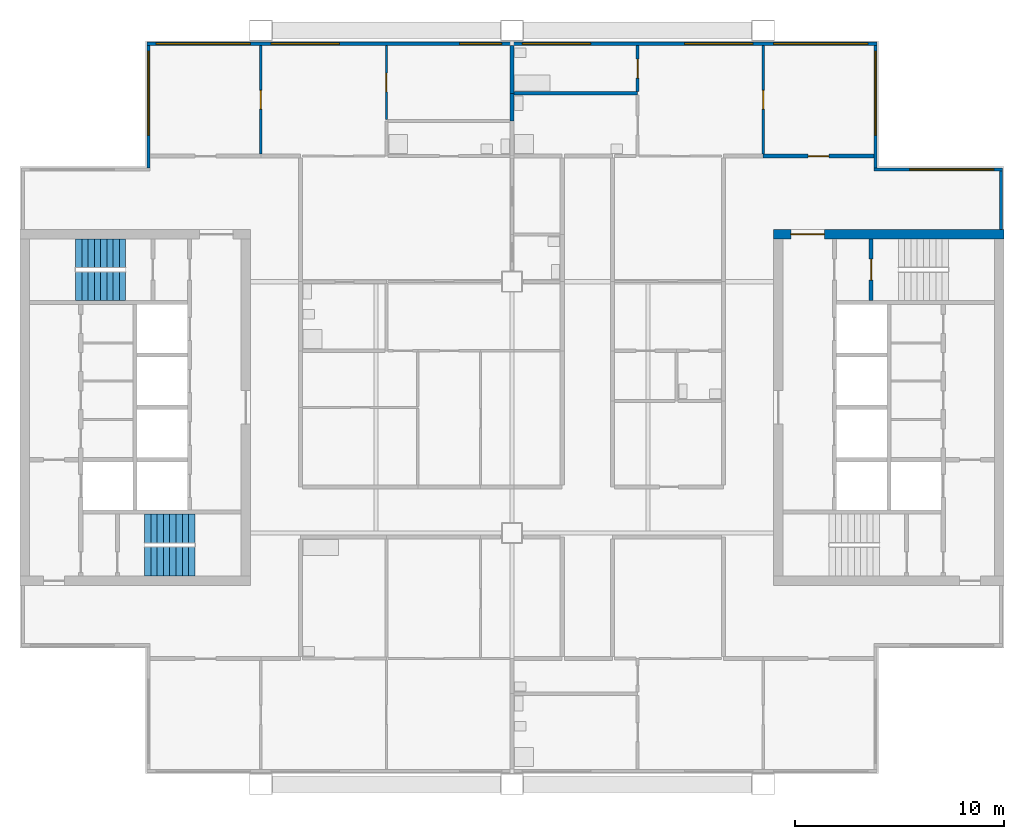
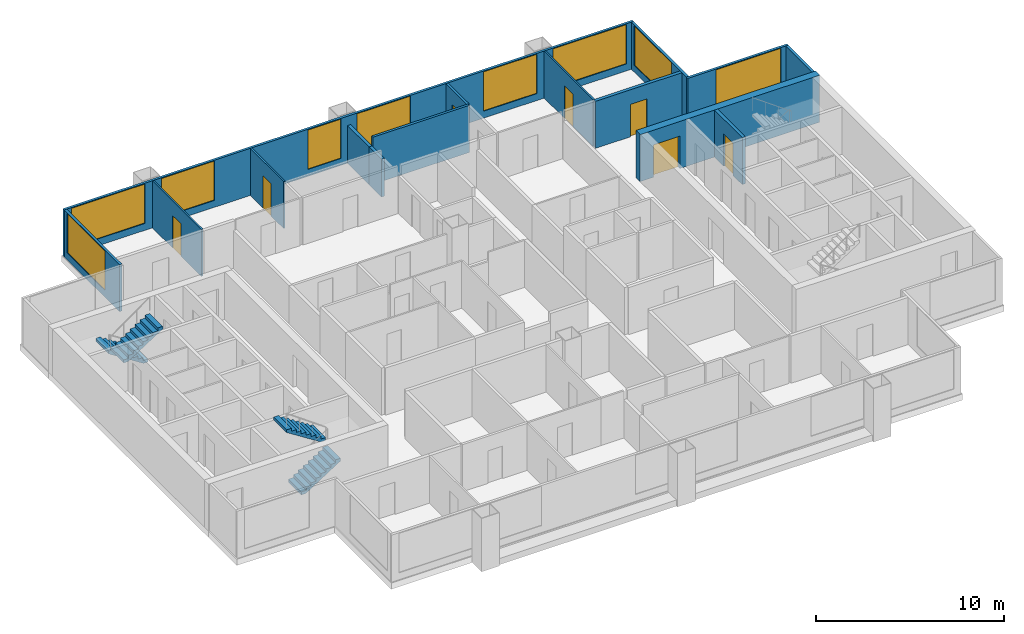
# One storey, part 6 of 9: 15 walls, 9 windows, 7 doors, 4 stair flights, 16 openings, 2 elements without a shape of their own.
"""IFC4 building model written with IfcOpenShell, lengths in metres."""

import ifcopenshell
import ifcopenshell.guid

model = None  # the IFC model being written
_history = None  # IfcOwnerHistory: only IFC2X3 demands one
_inside = {}  # id of a spatial element -> (the spatial element, [elements in it])
_under = {}  # id of a project, library or spatial element -> (it, [spatial elements below it])
_declared = {}  # id of a project -> (the project, [libraries it declares])
_typed = {}  # id of a type object -> (the type object, [elements of that type])
_made_of = {}  # id of a material, layer set ... -> (it, [elements and type objects made of it])


def new_model(schema):
    """Start an empty IFC model of exactly this schema.

    Asked for "IFC4X3", IfcOpenShell would pick the latest addendum, in which some entities
    have other attributes; the version numbers below select the first issue.
    IFC2X3 requires an IfcOwnerHistory on every rooted entity: one is made here for all.
    """
    global model, _history
    if schema == "IFC4X3":
        model = ifcopenshell.file(schema_version=(4, 3, 0, 0))
    else:
        model = ifcopenshell.file(schema=schema)
    _inside.clear()
    _under.clear()
    _declared.clear()
    _typed.clear()
    _made_of.clear()
    _history = None
    if model.schema == "IFC2X3":
        org = make("IfcOrganization", Name="unknown")
        user = make(
            "IfcPersonAndOrganization",
            ThePerson=make("IfcPerson", FamilyName="unknown"),
            TheOrganization=org,
        )
        app = make(
            "IfcApplication",
            ApplicationDeveloper=org,
            Version="unknown",
            ApplicationFullName="unknown",
            ApplicationIdentifier="unknown",
        )
        _history = make(
            "IfcOwnerHistory",
            OwningUser=user,
            OwningApplication=app,
            ChangeAction="ADDED",
            CreationDate=0,
        )
    return model


def make(cls, **values):
    """One entity of the class cls with the attributes given. An attribute that is None is left unset."""
    return model.create_entity(
        cls, **{name: value for name, value in values.items() if value is not None}
    )


def rooted(cls, **values):
    """An entity with a GlobalId (a new one), such as an element, a storey or a relation."""
    return make(cls, GlobalId=ifcopenshell.guid.new(), OwnerHistory=_history, **values)


def si_unit(unit_type, name, prefix=None):
    """IfcSIUnit, for example si_unit("LENGTHUNIT", "METRE", prefix="MILLI")."""
    return make("IfcSIUnit", UnitType=unit_type, Prefix=prefix, Name=name)


def assignment(units):
    """IfcUnitAssignment: the units of a project."""
    return None if units is None else make("IfcUnitAssignment", Units=units)


def point(xyz):
    """IfcCartesianPoint."""
    return None if xyz is None else make("IfcCartesianPoint", Coordinates=xyz)


def direction(xyz):
    """IfcDirection."""
    return None if xyz is None else make("IfcDirection", DirectionRatios=xyz)


def frame(location, z_axis=None, x_axis=None):
    """IfcAxis2Placement3D, a coordinate frame: its origin and axes. An axis left out is left unset."""
    return make(
        "IfcAxis2Placement3D",
        Location=point(location),
        Axis=direction(z_axis),
        RefDirection=direction(x_axis),
    )


def frame_2d(location, x_axis=None):
    """IfcAxis2Placement2D, a coordinate frame in the plane: its origin and x axis."""
    return make(
        "IfcAxis2Placement2D", Location=point(location), RefDirection=direction(x_axis)
    )


def origin():
    """The frame at (0, 0, 0) with its axes left unset."""
    return frame((0.0, 0.0, 0.0))


def place(relative_to, where):
    """IfcLocalPlacement: puts the frame where relative to a parent placement (None: the world)."""
    return make(
        "IfcLocalPlacement", PlacementRelTo=relative_to, RelativePlacement=where
    )


def context(
    kind, dimensions, precision=None, world=None, true_north=None, identifier=None
):
    """IfcGeometricRepresentationContext, for example the 3D "Model" context."""
    return make(
        "IfcGeometricRepresentationContext",
        ContextIdentifier=identifier,
        ContextType=kind,
        CoordinateSpaceDimension=dimensions,
        Precision=precision,
        WorldCoordinateSystem=world,
        TrueNorth=true_north,
    )


def subcontext(parent, identifier, kind, view, scale=None):
    """IfcGeometricRepresentationSubContext, for example "Body" below "Model"."""
    return make(
        "IfcGeometricRepresentationSubContext",
        ContextIdentifier=identifier,
        ContextType=kind,
        ParentContext=parent,
        TargetScale=scale,
        TargetView=view,
    )


def project(units=None, contexts=None):
    """IfcProject with its units and contexts."""
    return rooted(
        "IfcProject",
        Name="project",
        RepresentationContexts=contexts,
        UnitsInContext=assignment(units),
    )


def spatial(cls, under=None, at=None, **own):
    """A site, building, storey or space (cls), placed at a placement, below another one or the project."""
    s = rooted(cls, ObjectPlacement=at, **own)
    if under is not None:
        _under.setdefault(under.id(), (under, []))[1].append(s)
    return s


def polyline(points):
    """IfcPolyline through the points."""
    return make("IfcPolyline", Points=[point(p) for p in points])


def profile(cls, at=None, kind="AREA", **sizes):
    """A parametric profile (cls). Its sizes go by their IFC names, for example OverallWidth=200.0."""
    return make(cls, ProfileType=kind, Position=at, **sizes)


def rectangle(**sizes):
    """IfcRectangleProfileDef."""
    return profile("IfcRectangleProfileDef", **sizes)


def outline(outer, holes=None, kind="AREA"):
    """IfcArbitraryClosedProfileDef: a profile drawn as a closed curve; with holes, ...WithVoids."""
    if holes is None:
        return make("IfcArbitraryClosedProfileDef", ProfileType=kind, OuterCurve=outer)
    return make(
        "IfcArbitraryProfileDefWithVoids",
        ProfileType=kind,
        OuterCurve=outer,
        InnerCurves=holes,
    )


def extrude(swept, where, along, depth):
    """IfcExtrudedAreaSolid: the profile swept, set in the frame where, extruded along a direction by depth."""
    return make(
        "IfcExtrudedAreaSolid",
        SweptArea=swept,
        Position=where,
        ExtrudedDirection=direction(along),
        Depth=depth,
    )


def shape(context_of_items, identifier, shape_type, items):
    """IfcShapeRepresentation: the items that make up one representation, for example the "Body"."""
    return make(
        "IfcShapeRepresentation",
        ContextOfItems=context_of_items,
        RepresentationIdentifier=identifier,
        RepresentationType=shape_type,
        Items=items,
    )


def material(Name=None, Category=None):
    """IfcMaterial."""
    return make("IfcMaterial", Name=Name, Category=Category)


def layer(
    of_material, thickness, ventilated=None, Name=None, Category=None, Priority=None
):
    """IfcMaterialLayer: one layer of a wall or slab, of a material (None: an air gap)."""
    return make(
        "IfcMaterialLayer",
        Material=of_material,
        LayerThickness=thickness,
        IsVentilated=ventilated,
        Name=Name,
        Category=Category,
        Priority=Priority,
    )


def layer_set(layers, Name=None):
    """IfcMaterialLayerSet."""
    return make("IfcMaterialLayerSet", MaterialLayers=layers, LayerSetName=Name)


def made_of(thing, what):
    """Note that an element or type object is made of a material, layer set ...; save() writes the relation."""
    if what is not None:
        _made_of.setdefault(what.id(), (what, []))[1].append(thing)
    return thing


def type_object(cls, material=None, **own):
    """A type object (cls), such as IfcWallType, which elements share."""
    return made_of(rooted(cls, **own), material)


def element(
    cls,
    number,
    at=None,
    inside=None,
    cuts=None,
    type_object=None,
    material=None,
    context=None,
    identifier="Body",
    shape_type=None,
    held_by="IfcProductDefinitionShape",
    body=None,
    shapes=None,
    **own,
):
    """One element of the class cls, such as IfcWall. Its Tag is "e" and its number.

    at: its placement. inside: the storey or other place that contains it. cuts: it is an
    opening in that element (IfcRelVoidsElement). A single representation is given by context,
    identifier, shape_type and body (its items); several are given by shapes. held_by: the class
    of the entity that holds the representations. save() writes the other relations.
    """
    e = rooted(cls, Tag="e%d" % number, ObjectPlacement=at, **own)
    if body is not None:
        shapes = [shape(context, identifier, shape_type, body)]
    if shapes is not None:
        e.Representation = make(held_by, Representations=shapes)
    if inside is not None:
        _inside.setdefault(inside.id(), (inside, []))[1].append(e)
    if cuts is not None:
        rooted(
            "IfcRelVoidsElement", RelatingBuildingElement=cuts, RelatedOpeningElement=e
        )
    if type_object is not None:
        _typed.setdefault(type_object.id(), (type_object, []))[1].append(e)
    return made_of(e, material)


def fill(opening, filler):
    """IfcRelFillsElement: the door or window that sits in an opening."""
    return rooted(
        "IfcRelFillsElement",
        RelatingOpeningElement=opening,
        RelatedBuildingElement=filler,
    )


def aggregate(whole, parts):
    """IfcRelAggregates: a whole, such as a stair, and the parts it consists of."""
    return rooted("IfcRelAggregates", RelatingObject=whole, RelatedObjects=parts)


def save(model, path):
    """Write the relations noted so far, then the file.

    IfcRelAggregates (storeys below a building ...), IfcRelContainedInSpatialStructure (elements
    in a storey), IfcRelDefinesByType, IfcRelAssociatesMaterial and IfcRelDeclares: one each for
    every whole, place, type object, material and project.
    """
    for whole, parts in _under.values():
        aggregate(whole, parts)
    for where, things in _inside.values():
        rooted(
            "IfcRelContainedInSpatialStructure",
            RelatedElements=things,
            RelatingStructure=where,
        )
    for kind, things in _typed.values():
        rooted("IfcRelDefinesByType", RelatedObjects=things, RelatingType=kind)
    for what, things in _made_of.values():
        rooted("IfcRelAssociatesMaterial", RelatedObjects=things, RelatingMaterial=what)
    for by, libraries in _declared.values():
        rooted("IfcRelDeclares", RelatingContext=by, RelatedDefinitions=libraries)
    model.write(path)


model = new_model("IFC4")

# Units and contexts
model_context = context("Model", 3, precision=1e-05, world=origin(), true_north=direction((0.0, 1.0)))
body_context = subcontext(model_context, "Body", "Model", "MODEL_VIEW")
ifc_project = project(units=[si_unit("LENGTHUNIT", "METRE"), si_unit("AREAUNIT", "SQUARE_METRE"), si_unit("VOLUMEUNIT", "CUBIC_METRE"), si_unit("PLANEANGLEUNIT", "RADIAN"), si_unit("MASSUNIT", "GRAM", prefix="KILO")], contexts=[model_context])

# Site, building, storey
site_placement = place(None, origin())
site = spatial("IfcSite", under=ifc_project, at=site_placement, CompositionType="ELEMENT")
building_placement = place(site_placement, origin())
building = spatial("IfcBuilding", under=site, at=building_placement, Name="Kitamizu Gate Tower and Museum", CompositionType="ELEMENT")
storey_placement = place(building_placement, frame((0.0, 0.0, 224.85009765625)))
storey = spatial("IfcBuildingStorey", under=building, at=storey_placement, Name="L60", CompositionType="ELEMENT", Elevation=224.85009765625)

# Wall, opening, door
ifc_material_1 = material(Name="Concrete Fc42", Category="concrete")
ifc_layer_1 = layer(ifc_material_1, 0.449951171875)
ifc_layer_set_1 = layer_set([ifc_layer_1], Name="Concrete Fc42")
wall_type_1 = type_object("IfcWallType", Name="Core wall 450", PredefinedType="SHEAR", material=ifc_layer_set_1)
wall_1_placement = place(storey_placement, frame((59.5, 38.27490234375, 0.0), z_axis=(0.0, 0.0, 1.0), x_axis=(-1.0, 0.0, 0.0)))
wall_1 = element("IfcWall", 1, at=wall_1_placement, inside=storey, type_object=wall_type_1, Name="Core wall EN", PredefinedType="SHEAR", context=body_context, shape_type="SweptSolid", body=[
    extrude(rectangle(XDim=11.0, YDim=0.449951171875, at=frame_2d((5.5, 0.0))), origin(), (0.0, 0.0, 1.0), 3.0498046875),
])
opening_1_placement = place(wall_1_placement, frame((8.574951171875, 0.0, 0.0)))
opening_1 = element("IfcOpeningElement", 2, at=opening_1_placement, cuts=wall_1, Name="Opening L60-052", PredefinedType="OPENING", context=body_context, shape_type="SweptSolid", body=[
    extrude(rectangle(XDim=1.60009765625, YDim=2.10009765625, at=frame_2d((0.800048828125, 1.050048828125))), frame((0.0, 0.23486328125, 0.0), z_axis=(0.0, -1.0, 0.0), x_axis=(1.0, 0.0, 0.0)), (0.0, 0.0, 1.0), 0.469970703125),
])
ifc_material_2 = material(Name="Timber door set", Category="wood")
door_type_1 = type_object("IfcDoorType", Name="Entrance door 1600", OperationType="DOUBLE_DOOR_SINGLE_SWING", PredefinedType="DOOR", material=ifc_material_2)
door_1_placement = place(opening_1_placement, origin())
door_1 = element("IfcDoor", 3, at=door_1_placement, inside=storey, type_object=door_type_1, Name="Lobby door L60-052", OperationType="DOUBLE_DOOR_SINGLE_SWING", OverallHeight=2.10009765625, OverallWidth=1.60009765625, PredefinedType="DOOR", context=body_context, shape_type="SweptSolid", body=[
    extrude(rectangle(XDim=1.60009765625, YDim=2.10009765625, at=frame_2d((0.800048828125, 1.050048828125))), frame((0.0, 0.02490234375, 0.0), z_axis=(0.0, -1.0, 0.0), x_axis=(1.0, 0.0, 0.0)), (0.0, 0.0, 1.0), 0.050048828125),
])
fill(opening_1, door_1)

ifc_material_3 = material(Name="Gypsum board on galvanised stud")
ifc_layer_2 = layer(ifc_material_3, 0.10009765625)
ifc_layer_set_2 = layer_set([ifc_layer_2], Name="Gypsum board on galvanised stud")
wall_type_2 = type_object("IfcWallType", Name="Partition 100 NOT RATED", PredefinedType="PARTITIONING", material=ifc_layer_set_2)
wall_2_placement = place(storey_placement, frame((24.0, 42.10009765625, 0.0), z_axis=(0.0, 0.0, 1.0), x_axis=(0.0, 1.0, 0.0)))
wall_2 = element("IfcWall", 4, at=wall_2_placement, inside=storey, type_object=wall_type_2, Name="Partition L60-031", PredefinedType="PARTITIONING", context=body_context, shape_type="SweptSolid", body=[
    extrude(rectangle(XDim=5.179931640625, YDim=0.10009765625, at=frame_2d((2.58984375, 0.0))), origin(), (0.0, 0.0, 1.0), 3.0498046875),
])
opening_2_placement = place(wall_2_placement, frame((2.139892578125, 0.0, 0.0)))
opening_2 = element("IfcOpeningElement", 5, at=opening_2_placement, cuts=wall_2, Name="Opening L60-013", PredefinedType="OPENING", context=body_context, shape_type="SweptSolid", body=[
    extrude(rectangle(XDim=0.89990234375, YDim=2.10009765625, at=frame_2d((0.449951171875, 1.050048828125))), frame((0.0, 0.06005859375, 0.0), z_axis=(0.0, -1.0, 0.0), x_axis=(1.0, 0.0, 0.0)), (0.0, 0.0, 1.0), 0.1201171875),
])
ifc_material_4 = material(Name="Timber door set", Category="wood")
door_type_2 = type_object("IfcDoorType", Name="Room door 900", OperationType="NOTDEFINED", PredefinedType="DOOR", material=ifc_material_4)
door_2_placement = place(opening_2_placement, frame((0.89990234375, 0.0, 0.0), x_axis=(-1.0, 0.0, 0.0)))
door_2 = element("IfcDoor", 6, at=door_2_placement, inside=storey, type_object=door_type_2, Name="Door L60-013", OperationType="SINGLE_SWING_LEFT", OverallHeight=2.10009765625, OverallWidth=0.89990234375, PredefinedType="DOOR", context=body_context, shape_type="SweptSolid", body=[
    extrude(rectangle(XDim=0.89990234375, YDim=2.10009765625, at=frame_2d((0.449951171875, 1.050048828125))), frame((0.0, 0.02490234375, 0.0), z_axis=(0.0, -1.0, 0.0), x_axis=(1.0, 0.0, 0.0)), (0.0, 0.0, 1.0), 0.050048828125),
])
fill(opening_2, door_2)

wall_3_placement = place(storey_placement, frame((30.0, 43.7548828125, 0.0), z_axis=(0.0, 0.0, 1.0), x_axis=(0.0, 1.0, 0.0)))
wall_3 = element("IfcWall", 7, at=wall_3_placement, inside=storey, type_object=wall_type_2, Name="Partition L60-033", PredefinedType="PARTITIONING", context=body_context, shape_type="SweptSolid", body=[
    extrude(rectangle(XDim=3.525146484375, YDim=0.10009765625, at=frame_2d((1.7626953125, 0.0))), origin(), (0.0, 0.0, 1.0), 3.0498046875),
])
opening_3_placement = place(wall_3_placement, frame((1.3125, 0.0, 0.0)))
opening_3 = element("IfcOpeningElement", 8, at=opening_3_placement, cuts=wall_3, Name="Opening L60-017", PredefinedType="OPENING", context=body_context, shape_type="SweptSolid", body=[
    extrude(rectangle(XDim=0.89990234375, YDim=2.10009765625, at=frame_2d((0.449951171875, 1.050048828125))), frame((0.0, 0.06005859375, 0.0), z_axis=(0.0, -1.0, 0.0), x_axis=(1.0, 0.0, 0.0)), (0.0, 0.0, 1.0), 0.1201171875),
])
door_3_placement = place(opening_3_placement, frame((0.89990234375, 0.0, 0.0), x_axis=(-1.0, 0.0, 0.0)))
door_3 = element("IfcDoor", 9, at=door_3_placement, inside=storey, type_object=door_type_2, Name="Door L60-017", OperationType="SINGLE_SWING_LEFT", OverallHeight=2.10009765625, OverallWidth=0.89990234375, PredefinedType="DOOR", context=body_context, shape_type="SweptSolid", body=[
    extrude(rectangle(XDim=0.89990234375, YDim=2.10009765625, at=frame_2d((0.449951171875, 1.050048828125))), frame((0.0, 0.02490234375, 0.0), z_axis=(0.0, -1.0, 0.0), x_axis=(1.0, 0.0, 0.0)), (0.0, 0.0, 1.0), 0.050048828125),
])
fill(opening_3, door_3)

wall_4_placement = place(storey_placement, frame((48.0, 42.10009765625, 0.0), z_axis=(0.0, 0.0, 1.0), x_axis=(0.0, 1.0, 0.0)))
wall_4 = element("IfcWall", 10, at=wall_4_placement, inside=storey, type_object=wall_type_2, Name="Partition L60-076", PredefinedType="PARTITIONING", context=body_context, shape_type="SweptSolid", body=[
    extrude(rectangle(XDim=5.179931640625, YDim=0.10009765625, at=frame_2d((2.58984375, 0.0))), origin(), (0.0, 0.0, 1.0), 3.0498046875),
])
opening_4_placement = place(wall_4_placement, frame((2.139892578125, 0.0, 0.0)))
opening_4 = element("IfcOpeningElement", 11, at=opening_4_placement, cuts=wall_4, Name="Opening L60-026", PredefinedType="OPENING", context=body_context, shape_type="SweptSolid", body=[
    extrude(rectangle(XDim=0.89990234375, YDim=2.10009765625, at=frame_2d((0.449951171875, 1.050048828125))), frame((0.0, 0.06005859375, 0.0), z_axis=(0.0, -1.0, 0.0), x_axis=(1.0, 0.0, 0.0)), (0.0, 0.0, 1.0), 0.1201171875),
])
door_4_placement = place(opening_4_placement, origin())
door_4 = element("IfcDoor", 12, at=door_4_placement, inside=storey, type_object=door_type_2, Name="Door L60-026", OperationType="SINGLE_SWING_RIGHT", OverallHeight=2.10009765625, OverallWidth=0.89990234375, PredefinedType="DOOR", context=body_context, shape_type="SweptSolid", body=[
    extrude(rectangle(XDim=0.89990234375, YDim=2.10009765625, at=frame_2d((0.449951171875, 1.050048828125))), frame((0.0, 0.02490234375, 0.0), z_axis=(0.0, -1.0, 0.0), x_axis=(1.0, 0.0, 0.0)), (0.0, 0.0, 1.0), 0.050048828125),
])
fill(opening_4, door_4)

# Wall
ifc_material_5 = material(Name="Gypsum board on galvanised stud")
ifc_layer_3 = layer(ifc_material_5, 0.14990234375)
ifc_layer_set_3 = layer_set([ifc_layer_3], Name="Gypsum board on galvanised stud")
wall_type_3 = type_object("IfcWallType", Name="Partition 150", PredefinedType="PARTITIONING", material=ifc_layer_set_3)
wall_5_placement = place(storey_placement, frame((42.0, 45.0, 0.0), z_axis=(0.0, 0.0, 1.0), x_axis=(-1.0, 0.0, 0.0)))
element("IfcWall", 13, at=wall_5_placement, inside=storey, type_object=wall_type_3, Name="Partition L60-071", PredefinedType="PARTITIONING", context=body_context, shape_type="SweptSolid", body=[
    extrude(rectangle(XDim=5.89990234375, YDim=0.14990234375, at=frame_2d((2.949951171875, 0.0))), origin(), (0.0, 0.0, 1.0), 3.0498046875),
])

# Wall, opening, door
wall_6_placement = place(storey_placement, frame((42.0, 45.074951171875, 0.0), z_axis=(0.0, 0.0, 1.0), x_axis=(0.0, 1.0, 0.0)))
wall_6 = element("IfcWall", 14, at=wall_6_placement, inside=storey, type_object=wall_type_3, Name="Partition L60-075", PredefinedType="PARTITIONING", context=body_context, shape_type="SweptSolid", body=[
    extrude(rectangle(XDim=2.205078125, YDim=0.14990234375, at=frame_2d((1.1025390625, 0.0))), origin(), (0.0, 0.0, 1.0), 3.0498046875),
])
opening_5_placement = place(wall_6_placement, frame((0.652587890625, 0.0, 0.0)))
opening_5 = element("IfcOpeningElement", 15, at=opening_5_placement, cuts=wall_6, Name="Opening L60-029", PredefinedType="OPENING", context=body_context, shape_type="SweptSolid", body=[
    extrude(rectangle(XDim=0.89990234375, YDim=2.10009765625, at=frame_2d((0.449951171875, 1.050048828125))), frame((0.0, 0.0849609375, 0.0), z_axis=(0.0, -1.0, 0.0), x_axis=(1.0, 0.0, 0.0)), (0.0, 0.0, 1.0), 0.169921875),
])
ifc_material_6 = material(Name="Timber door set", Category="wood")
door_type_3 = type_object("IfcDoorType", Name="Bathroom door 900", OperationType="NOTDEFINED", PredefinedType="DOOR", material=ifc_material_6)
door_5_placement = place(opening_5_placement, origin())
door_5 = element("IfcDoor", 16, at=door_5_placement, inside=storey, type_object=door_type_3, Name="Bathroom door L60-029", OperationType="SINGLE_SWING_LEFT", OverallHeight=2.10009765625, OverallWidth=0.89990234375, PredefinedType="DOOR", context=body_context, shape_type="SweptSolid", body=[
    extrude(rectangle(XDim=0.89990234375, YDim=2.10009765625, at=frame_2d((0.449951171875, 1.050048828125))), frame((0.0, 0.02490234375, 0.0), z_axis=(0.0, -1.0, 0.0), x_axis=(1.0, 0.0, 0.0)), (0.0, 0.0, 1.0), 0.050048828125),
])
fill(opening_5, door_5)

# Walls
ifc_material_7 = material(Name="Gypsum board on galvanised stud")
ifc_layer_4 = layer(ifc_material_7, 0.199951171875)
ifc_layer_set_4 = layer_set([ifc_layer_4], Name="Gypsum board on galvanised stud")
wall_type_4 = type_object("IfcWallType", Name="Partition 200", PredefinedType="PARTITIONING", material=ifc_layer_set_4)
wall_7_placement = place(storey_placement, frame((36.0, 43.679931640625, 0.0), z_axis=(0.0, 0.0, 1.0), x_axis=(0.0, 1.0, 0.0)))
element("IfcWall", 17, at=wall_7_placement, inside=storey, type_object=wall_type_4, Name="Partition L60-038", PredefinedType="PARTITIONING", context=body_context, shape_type="SweptSolid", body=[
    extrude(rectangle(XDim=1.320068359375, YDim=0.199951171875, at=frame_2d((0.66015625, 0.0))), origin(), (0.0, 0.0, 1.0), 2.449951171875),
])
wall_8_placement = place(storey_placement, frame((36.0, 45.0, 0.0), z_axis=(0.0, 0.0, 1.0), x_axis=(0.0, 1.0, 0.0)))
element("IfcWall", 18, at=wall_8_placement, inside=storey, type_object=wall_type_4, Name="Partition L60-039", PredefinedType="PARTITIONING", context=body_context, shape_type="SweptSolid", body=[
    extrude(rectangle(XDim=2.280029296875, YDim=0.199951171875, at=frame_2d((1.14013671875, 0.0))), origin(), (0.0, 0.0, 1.0), 2.449951171875),
])

# Wall, opening, door
wall_9_placement = place(storey_placement, frame((48.0, 42.0, 0.0), z_axis=(0.0, 0.0, 1.0), x_axis=(1.0, 0.0, 0.0)))
wall_9 = element("IfcWall", 19, at=wall_9_placement, inside=storey, type_object=wall_type_4, Name="Partition L60-079", PredefinedType="PARTITIONING", context=body_context, shape_type="SweptSolid", body=[
    extrude(rectangle(XDim=5.280029296875, YDim=0.199951171875, at=frame_2d((2.64013671875, 0.0))), origin(), (0.0, 0.0, 1.0), 3.0498046875),
])
opening_6_placement = place(wall_9_placement, frame((2.139892578125, 0.0, 0.0)))
opening_6 = element("IfcOpeningElement", 20, at=opening_6_placement, cuts=wall_9, Name="Opening L60-025", PredefinedType="OPENING", context=body_context, shape_type="SweptSolid", body=[
    extrude(rectangle(XDim=1.0, YDim=2.10009765625, at=frame_2d((0.5, 1.050048828125))), frame((0.0, 0.10986328125, 0.0), z_axis=(0.0, -1.0, 0.0), x_axis=(1.0, 0.0, 0.0)), (0.0, 0.0, 1.0), 0.219970703125),
])
ifc_material_8 = material(Name="Timber door set", Category="wood")
door_type_4 = type_object("IfcDoorType", Name="Flat entrance door 1000", OperationType="NOTDEFINED", PredefinedType="DOOR", material=ifc_material_8)
door_6_placement = place(opening_6_placement, origin())
door_6 = element("IfcDoor", 21, at=door_6_placement, inside=storey, type_object=door_type_4, Name="Flat entrance door L60-025", OperationType="SINGLE_SWING_LEFT", OverallHeight=2.10009765625, OverallWidth=1.0, PredefinedType="DOOR", context=body_context, shape_type="SweptSolid", body=[
    extrude(rectangle(XDim=1.0, YDim=2.10009765625, at=frame_2d((0.5, 1.050048828125))), frame((0.0, 0.02490234375, 0.0), z_axis=(0.0, -1.0, 0.0), x_axis=(1.0, 0.0, 0.0)), (0.0, 0.0, 1.0), 0.050048828125),
])
fill(opening_6, door_6)

ifc_material_9 = material(Name="Concrete Fc42", Category="concrete")
ifc_layer_5 = layer(ifc_material_9, 0.199951171875)
ifc_layer_set_5 = layer_set([ifc_layer_5], Name="Concrete Fc42")
wall_type_5 = type_object("IfcWallType", Name="Shaft wall 200", PredefinedType="SOLIDWALL", material=ifc_layer_set_5)
wall_10_placement = place(storey_placement, frame((53.14990234375, 35.10009765625, 0.0), z_axis=(0.0, 0.0, 1.0), x_axis=(0.0, 1.0, 0.0)))
wall_10 = element("IfcWall", 22, at=wall_10_placement, inside=storey, type_object=wall_type_5, Name="Shaft wall ENZ", PredefinedType="SOLIDWALL", context=body_context, shape_type="SweptSolid", body=[
    extrude(rectangle(XDim=2.949951171875, YDim=0.199951171875, at=frame_2d((1.47509765625, 0.0))), origin(), (0.0, 0.0, 1.0), 3.0498046875),
])
opening_7_placement = place(wall_10_placement, frame((0.97509765625, 0.0, 0.0)))
opening_7 = element("IfcOpeningElement", 23, at=opening_7_placement, cuts=wall_10, Name="Opening L60-049", PredefinedType="OPENING", context=body_context, shape_type="SweptSolid", body=[
    extrude(rectangle(XDim=1.0, YDim=2.10009765625, at=frame_2d((0.5, 1.050048828125))), frame((0.0, 0.10986328125, 0.0), z_axis=(0.0, -1.0, 0.0), x_axis=(1.0, 0.0, 0.0)), (0.0, 0.0, 1.0), 0.219970703125),
])
ifc_material_10 = material(Name="Hollow metal door set")
door_type_5 = type_object("IfcDoorType", Name="Fire door 1000", OperationType="NOTDEFINED", PredefinedType="DOOR", material=ifc_material_10)
door_7_placement = place(opening_7_placement, frame((1.0, 0.0, 0.0), x_axis=(-1.0, 0.0, 0.0)))
door_7 = element("IfcDoor", 24, at=door_7_placement, inside=storey, type_object=door_type_5, Name="Stair door L60-049", OperationType="SINGLE_SWING_RIGHT", OverallHeight=2.10009765625, OverallWidth=1.0, PredefinedType="DOOR", context=body_context, shape_type="SweptSolid", body=[
    extrude(rectangle(XDim=1.0, YDim=2.10009765625, at=frame_2d((0.5, 1.050048828125))), frame((0.0, 0.02490234375, 0.0), z_axis=(0.0, -1.0, 0.0), x_axis=(1.0, 0.0, 0.0)), (0.0, 0.0, 1.0), 0.050048828125),
])
fill(opening_7, door_7)

# Wall
ifc_material_11 = material(Name="Bronze anodised aluminium frame with insulated spandrel and tinted glass", Category="aluminium")
ifc_layer_6 = layer(ifc_material_11, 0.14990234375)
ifc_layer_set_6 = layer_set([ifc_layer_6], Name="Bronze anodised aluminium frame with insulated spandrel and tinted glass")
wall_type_6 = type_object("IfcWallType", Name="WINDOW WALL 150 BRONZE FRAME EI 30", PredefinedType="ELEMENTEDWALL", material=ifc_layer_set_6)
wall_11_placement = place(storey_placement, frame((59.364990234375, 38.5, 0.0), z_axis=(0.0, 0.0, 1.0), x_axis=(0.0, 1.0, 0.0)))
element("IfcWall", 25, at=wall_11_placement, inside=storey, type_object=wall_type_6, Name="Window wall east L60", PredefinedType="ELEMENTEDWALL", context=body_context, shape_type="SweptSolid", body=[
    extrude(rectangle(XDim=2.7900390625, YDim=0.14990234375, at=frame_2d((1.39501953125, 0.0))), origin(), (0.0, 0.0, 1.0), 3.0498046875),
])

# Wall, opening, window
wall_12_placement = place(storey_placement, frame((53.2900390625, 41.364990234375, 0.0), z_axis=(0.0, 0.0, 1.0), x_axis=(1.0, 0.0, 0.0)))
wall_12 = element("IfcWall", 26, at=wall_12_placement, inside=storey, type_object=wall_type_6, Name="Window wall north L60", PredefinedType="ELEMENTEDWALL", context=body_context, shape_type="SweptSolid", body=[
    extrude(rectangle(XDim=6.14990234375, YDim=0.14990234375, at=frame_2d((3.074951171875, 0.0))), origin(), (0.0, 0.0, 1.0), 3.0498046875),
])
opening_8_placement = place(wall_12_placement, frame((1.7099609375, 0.0, 0.449951171875)))
opening_8 = element("IfcOpeningElement", 27, at=opening_8_placement, cuts=wall_12, Name="Opening W16", PredefinedType="OPENING", context=body_context, shape_type="SweptSolid", body=[
    extrude(rectangle(XDim=4.0, YDim=2.550048828125, at=frame_2d((2.0, 1.27490234375))), frame((0.0, 0.0849609375, 0.0), z_axis=(0.0, -1.0, 0.0), x_axis=(1.0, 0.0, 0.0)), (0.0, 0.0, 1.0), 0.169921875),
])
ifc_material_12 = material(Name="Bronze anodised aluminium frame, tinted triple glazing", Category="aluminium")
window_type_1 = type_object("IfcWindowType", Name="WINDOW 4000 x 2550 SILL 450", PartitioningType="SINGLE_PANEL", PredefinedType="WINDOW", material=ifc_material_12)
window_1_placement = place(opening_8_placement, origin())
window_1 = element("IfcWindow", 28, at=window_1_placement, inside=storey, type_object=window_type_1, Name="Window W16 L60", OverallHeight=2.550048828125, OverallWidth=4.0, PartitioningType="SINGLE_PANEL", PredefinedType="WINDOW", context=body_context, shape_type="SweptSolid", body=[
    extrude(rectangle(XDim=4.0, YDim=2.550048828125, at=frame_2d((2.0, 1.27490234375))), frame((0.0, 0.030029296875, 0.0), z_axis=(0.0, -1.0, 0.0), x_axis=(1.0, 0.0, 0.0)), (0.0, 0.0, 1.0), 0.06005859375),
])
fill(opening_8, window_1)

wall_13_placement = place(storey_placement, frame((53.364990234375, 41.43994140625, 0.0), z_axis=(0.0, 0.0, 1.0), x_axis=(0.0, 1.0, 0.0)))
wall_13 = element("IfcWall", 29, at=wall_13_placement, inside=storey, type_object=wall_type_6, Name="Window wall east L60", PredefinedType="ELEMENTEDWALL", context=body_context, shape_type="SweptSolid", body=[
    extrude(rectangle(XDim=5.85009765625, YDim=0.14990234375, at=frame_2d((2.925048828125, 0.0))), origin(), (0.0, 0.0, 1.0), 3.0498046875),
])
opening_9_placement = place(wall_13_placement, frame((1.56005859375, 0.0, 0.449951171875)))
opening_9 = element("IfcOpeningElement", 30, at=opening_9_placement, cuts=wall_13, Name="Opening W16", PredefinedType="OPENING", context=body_context, shape_type="SweptSolid", body=[
    extrude(rectangle(XDim=4.0, YDim=2.550048828125, at=frame_2d((2.0, 1.27490234375))), frame((0.0, 0.0849609375, 0.0), z_axis=(0.0, -1.0, 0.0), x_axis=(1.0, 0.0, 0.0)), (0.0, 0.0, 1.0), 0.169921875),
])
window_2_placement = place(opening_9_placement, origin())
window_2 = element("IfcWindow", 31, at=window_2_placement, inside=storey, type_object=window_type_1, Name="Window W16 L60", OverallHeight=2.550048828125, OverallWidth=4.0, PartitioningType="SINGLE_PANEL", PredefinedType="WINDOW", context=body_context, shape_type="SweptSolid", body=[
    extrude(rectangle(XDim=4.0, YDim=2.550048828125, at=frame_2d((2.0, 1.27490234375))), frame((0.0, 0.030029296875, 0.0), z_axis=(0.0, -1.0, 0.0), x_axis=(1.0, 0.0, 0.0)), (0.0, 0.0, 1.0), 0.06005859375),
])
fill(opening_9, window_2)

# Wall, openings, windows
wall_14_placement = place(storey_placement, frame((18.56005859375, 47.364990234375, 0.0), z_axis=(0.0, 0.0, 1.0), x_axis=(1.0, 0.0, 0.0)))
wall_14 = element("IfcWall", 32, at=wall_14_placement, inside=storey, type_object=wall_type_6, Name="Window wall north L60", PredefinedType="ELEMENTEDWALL", context=body_context, shape_type="SweptSolid", body=[
    extrude(rectangle(XDim=34.8798828125, YDim=0.14990234375, at=frame_2d((17.43994140625, 0.0))), origin(), (0.0, 0.0, 1.0), 3.0498046875),
])
opening_10_placement = place(wall_14_placement, frame((0.43994140625, 0.0, 0.449951171875)))
opening_10 = element("IfcOpeningElement", 33, at=opening_10_placement, cuts=wall_14, Name="Opening W15", PredefinedType="OPENING", context=body_context, shape_type="SweptSolid", body=[
    extrude(rectangle(XDim=4.5, YDim=2.550048828125, at=frame_2d((2.25, 1.27490234375))), frame((0.0, 0.0849609375, 0.0), z_axis=(0.0, -1.0, 0.0), x_axis=(1.0, 0.0, 0.0)), (0.0, 0.0, 1.0), 0.169921875),
])
opening_11_placement = place(wall_14_placement, frame((5.93994140625, 0.0, 0.449951171875)))
opening_11 = element("IfcOpeningElement", 34, at=opening_11_placement, cuts=wall_14, Name="Opening W34", PredefinedType="OPENING", context=body_context, shape_type="SweptSolid", body=[
    extrude(rectangle(XDim=3.25, YDim=2.550048828125, at=frame_2d((1.625, 1.27490234375))), frame((0.0, 0.0849609375, 0.0), z_axis=(0.0, -1.0, 0.0), x_axis=(1.0, 0.0, 0.0)), (0.0, 0.0, 1.0), 0.169921875),
])
opening_12_placement = place(wall_14_placement, frame((14.93994140625, 0.0, 0.449951171875)))
opening_12 = element("IfcOpeningElement", 35, at=opening_12_placement, cuts=wall_14, Name="Opening W2", PredefinedType="OPENING", context=body_context, shape_type="SweptSolid", body=[
    extrude(rectangle(XDim=2.0, YDim=2.550048828125, at=frame_2d((1.0, 1.27490234375))), frame((0.0, 0.0849609375, 0.0), z_axis=(0.0, -1.0, 0.0), x_axis=(1.0, 0.0, 0.0)), (0.0, 0.0, 1.0), 0.169921875),
])
opening_13_placement = place(wall_14_placement, frame((17.93994140625, 0.0, 0.449951171875)))
opening_13 = element("IfcOpeningElement", 36, at=opening_13_placement, cuts=wall_14, Name="Opening W34", PredefinedType="OPENING", context=body_context, shape_type="SweptSolid", body=[
    extrude(rectangle(XDim=3.25, YDim=2.550048828125, at=frame_2d((1.625, 1.27490234375))), frame((0.0, 0.0849609375, 0.0), z_axis=(0.0, -1.0, 0.0), x_axis=(1.0, 0.0, 0.0)), (0.0, 0.0, 1.0), 0.169921875),
])
opening_14_placement = place(wall_14_placement, frame((25.68994140625, 0.0, 0.449951171875)))
opening_14 = element("IfcOpeningElement", 37, at=opening_14_placement, cuts=wall_14, Name="Opening W34", PredefinedType="OPENING", context=body_context, shape_type="SweptSolid", body=[
    extrude(rectangle(XDim=3.25, YDim=2.550048828125, at=frame_2d((1.625, 1.27490234375))), frame((0.0, 0.0849609375, 0.0), z_axis=(0.0, -1.0, 0.0), x_axis=(1.0, 0.0, 0.0)), (0.0, 0.0, 1.0), 0.169921875),
])
opening_15_placement = place(wall_14_placement, frame((29.93994140625, 0.0, 0.449951171875)))
opening_15 = element("IfcOpeningElement", 38, at=opening_15_placement, cuts=wall_14, Name="Opening W15", PredefinedType="OPENING", context=body_context, shape_type="SweptSolid", body=[
    extrude(rectangle(XDim=4.5, YDim=2.550048828125, at=frame_2d((2.25, 1.27490234375))), frame((0.0, 0.0849609375, 0.0), z_axis=(0.0, -1.0, 0.0), x_axis=(1.0, 0.0, 0.0)), (0.0, 0.0, 1.0), 0.169921875),
])
ifc_material_13 = material(Name="Bronze anodised aluminium frame, tinted triple glazing", Category="aluminium")
window_type_2 = type_object("IfcWindowType", Name="WINDOW 2000 x 2550 SILL 450", PartitioningType="SINGLE_PANEL", PredefinedType="WINDOW", material=ifc_material_13)
window_3_placement = place(opening_12_placement, origin())
window_3 = element("IfcWindow", 39, at=window_3_placement, inside=storey, type_object=window_type_2, Name="Window W2 L60", OverallHeight=2.550048828125, OverallWidth=2.0, PartitioningType="SINGLE_PANEL", PredefinedType="WINDOW", context=body_context, shape_type="SweptSolid", body=[
    extrude(rectangle(XDim=2.0, YDim=2.550048828125, at=frame_2d((1.0, 1.27490234375))), frame((0.0, 0.030029296875, 0.0), z_axis=(0.0, -1.0, 0.0), x_axis=(1.0, 0.0, 0.0)), (0.0, 0.0, 1.0), 0.06005859375),
])
fill(opening_12, window_3)
ifc_material_14 = material(Name="Bronze anodised aluminium frame, tinted triple glazing", Category="aluminium")
window_type_3 = type_object("IfcWindowType", Name="WINDOW 3250 x 2550 SILL 450", PartitioningType="SINGLE_PANEL", PredefinedType="WINDOW", material=ifc_material_14)
window_4_placement = place(opening_11_placement, origin())
window_4 = element("IfcWindow", 40, at=window_4_placement, inside=storey, type_object=window_type_3, Name="Window W34 L60", OverallHeight=2.550048828125, OverallWidth=3.25, PartitioningType="SINGLE_PANEL", PredefinedType="WINDOW", context=body_context, shape_type="SweptSolid", body=[
    extrude(rectangle(XDim=3.25, YDim=2.550048828125, at=frame_2d((1.625, 1.27490234375))), frame((0.0, 0.030029296875, 0.0), z_axis=(0.0, -1.0, 0.0), x_axis=(1.0, 0.0, 0.0)), (0.0, 0.0, 1.0), 0.06005859375),
])
fill(opening_11, window_4)
window_5_placement = place(opening_13_placement, origin())
window_5 = element("IfcWindow", 41, at=window_5_placement, inside=storey, type_object=window_type_3, Name="Window W34 L60", OverallHeight=2.550048828125, OverallWidth=3.25, PartitioningType="SINGLE_PANEL", PredefinedType="WINDOW", context=body_context, shape_type="SweptSolid", body=[
    extrude(rectangle(XDim=3.25, YDim=2.550048828125, at=frame_2d((1.625, 1.27490234375))), frame((0.0, 0.030029296875, 0.0), z_axis=(0.0, -1.0, 0.0), x_axis=(1.0, 0.0, 0.0)), (0.0, 0.0, 1.0), 0.06005859375),
])
fill(opening_13, window_5)
window_6_placement = place(opening_14_placement, origin())
window_6 = element("IfcWindow", 42, at=window_6_placement, inside=storey, type_object=window_type_3, Name="Window W34 L60", OverallHeight=2.550048828125, OverallWidth=3.25, PartitioningType="SINGLE_PANEL", PredefinedType="WINDOW", context=body_context, shape_type="SweptSolid", body=[
    extrude(rectangle(XDim=3.25, YDim=2.550048828125, at=frame_2d((1.625, 1.27490234375))), frame((0.0, 0.030029296875, 0.0), z_axis=(0.0, -1.0, 0.0), x_axis=(1.0, 0.0, 0.0)), (0.0, 0.0, 1.0), 0.06005859375),
])
fill(opening_14, window_6)
ifc_material_15 = material(Name="Bronze anodised aluminium frame, tinted triple glazing", Category="aluminium")
window_type_4 = type_object("IfcWindowType", Name="WINDOW 4500 x 2550 SILL 450", PartitioningType="SINGLE_PANEL", PredefinedType="WINDOW", material=ifc_material_15)
window_7_placement = place(opening_10_placement, origin())
window_7 = element("IfcWindow", 43, at=window_7_placement, inside=storey, type_object=window_type_4, Name="Window W15 L60", OverallHeight=2.550048828125, OverallWidth=4.5, PartitioningType="SINGLE_PANEL", PredefinedType="WINDOW", context=body_context, shape_type="SweptSolid", body=[
    extrude(rectangle(XDim=4.5, YDim=2.550048828125, at=frame_2d((2.25, 1.27490234375))), frame((0.0, 0.030029296875, 0.0), z_axis=(0.0, -1.0, 0.0), x_axis=(1.0, 0.0, 0.0)), (0.0, 0.0, 1.0), 0.06005859375),
])
fill(opening_10, window_7)
window_8_placement = place(opening_15_placement, origin())
window_8 = element("IfcWindow", 44, at=window_8_placement, inside=storey, type_object=window_type_4, Name="Window W15 L60", OverallHeight=2.550048828125, OverallWidth=4.5, PartitioningType="SINGLE_PANEL", PredefinedType="WINDOW", context=body_context, shape_type="SweptSolid", body=[
    extrude(rectangle(XDim=4.5, YDim=2.550048828125, at=frame_2d((2.25, 1.27490234375))), frame((0.0, 0.030029296875, 0.0), z_axis=(0.0, -1.0, 0.0), x_axis=(1.0, 0.0, 0.0)), (0.0, 0.0, 1.0), 0.06005859375),
])
fill(opening_15, window_8)

# Wall, opening, window
wall_15_placement = place(storey_placement, frame((18.635009765625, 41.43994140625, 0.0), z_axis=(0.0, 0.0, 1.0), x_axis=(0.0, 1.0, 0.0)))
wall_15 = element("IfcWall", 45, at=wall_15_placement, inside=storey, type_object=wall_type_6, Name="Window wall west L60", PredefinedType="ELEMENTEDWALL", context=body_context, shape_type="SweptSolid", body=[
    extrude(rectangle(XDim=5.85009765625, YDim=0.14990234375, at=frame_2d((2.925048828125, 0.0))), origin(), (0.0, 0.0, 1.0), 3.0498046875),
])
opening_16_placement = place(wall_15_placement, frame((1.56005859375, 0.0, 0.449951171875)))
opening_16 = element("IfcOpeningElement", 46, at=opening_16_placement, cuts=wall_15, Name="Opening W16", PredefinedType="OPENING", context=body_context, shape_type="SweptSolid", body=[
    extrude(rectangle(XDim=4.0, YDim=2.550048828125, at=frame_2d((2.0, 1.27490234375))), frame((0.0, 0.0849609375, 0.0), z_axis=(0.0, -1.0, 0.0), x_axis=(1.0, 0.0, 0.0)), (0.0, 0.0, 1.0), 0.169921875),
])
window_9_placement = place(opening_16_placement, origin())
window_9 = element("IfcWindow", 47, at=window_9_placement, inside=storey, type_object=window_type_1, Name="Window W16 L60", OverallHeight=2.550048828125, OverallWidth=4.0, PartitioningType="SINGLE_PANEL", PredefinedType="WINDOW", context=body_context, shape_type="SweptSolid", body=[
    extrude(rectangle(XDim=4.0, YDim=2.550048828125, at=frame_2d((2.0, 1.27490234375))), frame((0.0, 0.030029296875, 0.0), z_axis=(0.0, -1.0, 0.0), x_axis=(1.0, 0.0, 0.0)), (0.0, 0.0, 1.0), 0.06005859375),
])
fill(opening_16, window_9)

# Stair, stair flights
ifc_material_16 = material(Name="Concrete Fc42", Category="concrete")
stair_type = type_object("IfcStairType", Name="Exit stair 1375 wide 192 rise 300 going", PredefinedType="HALF_TURN_STAIR", material=ifc_material_16)
stair_1_placement = place(storey_placement, origin())
stair_1 = element("IfcStair", 48, at=stair_1_placement, inside=storey, type_object=stair_type, Name="Exit stair ST1", PredefinedType="HALF_TURN_STAIR")
ifc_material_17 = material(Name="Concrete Fc42", Category="concrete")
stair_flight_type = type_object("IfcStairFlightType", Name="Stair flight 1375 wide 192 rise 300 going", PredefinedType="STRAIGHT", material=ifc_material_17)
stair_flight_1_placement = place(storey_placement, frame((18.449951171875, 22.637451171875, 0.0), z_axis=(0.0, 0.0, 1.0), x_axis=(1.0, 0.0, 0.0)))
stair_flight_1 = element("IfcStairFlight", 49, at=stair_flight_1_placement, type_object=stair_flight_type, Name="ST1 flight 1", NumberOfRisers=9, NumberOfTreads=8, PredefinedType="STRAIGHT", RiserHeight=0.191666667, TreadLength=0.3, context=body_context, shape_type="SweptSolid", body=[
    extrude(outline(polyline([(0.0, 0.0), (0.0, 0.191650390625), (0.300048828125, 0.191650390625), (0.300048828125, 0.38330078125), (0.60009765625, 0.38330078125), (0.60009765625, 0.574951171875), (0.89990234375, 0.574951171875), (0.89990234375, 0.7666015625), (1.199951171875, 0.7666015625), (1.199951171875, 0.958251953125), (1.5, 0.958251953125), (1.5, 1.14990234375), (1.800048828125, 1.14990234375), (1.800048828125, 1.341552734375), (2.10009765625, 1.341552734375), (2.10009765625, 1.533447265625), (2.39990234375, 1.533447265625), (2.39990234375, 1.72509765625), (2.39990234375, 1.35546875), (0.2783203125, 0.0), (0.0, 0.0)])), frame((0.0, 0.6875, 0.0), z_axis=(0.0, -1.0, 0.0), x_axis=(1.0, 0.0, 0.0)), (0.0, 0.0, 1.0), 1.375),
])
stair_flight_2_placement = place(storey_placement, frame((20.85009765625, 24.21240234375, 1.724853515625), z_axis=(0.0, 0.0, 1.0), x_axis=(-1.0, 0.0, 0.0)))
stair_flight_2 = element("IfcStairFlight", 50, at=stair_flight_2_placement, type_object=stair_flight_type, Name="ST1 flight 2", NumberOfRisers=9, NumberOfTreads=8, PredefinedType="STRAIGHT", RiserHeight=0.191666667, TreadLength=0.3, context=body_context, shape_type="SweptSolid", body=[
    extrude(outline(polyline([(0.0, 0.0), (0.0, 0.191650390625), (0.300048828125, 0.191650390625), (0.300048828125, 0.38330078125), (0.60009765625, 0.38330078125), (0.60009765625, 0.574951171875), (0.89990234375, 0.574951171875), (0.89990234375, 0.7666015625), (1.199951171875, 0.7666015625), (1.199951171875, 0.958251953125), (1.5, 0.958251953125), (1.5, 1.14990234375), (1.800048828125, 1.14990234375), (1.800048828125, 1.341552734375), (2.10009765625, 1.341552734375), (2.10009765625, 1.533447265625), (2.39990234375, 1.533447265625), (2.39990234375, 1.72509765625), (2.39990234375, 1.35546875), (0.2783203125, 0.0), (0.0, 0.0)])), frame((0.0, 0.6875, 0.0), z_axis=(0.0, -1.0, 0.0), x_axis=(1.0, 0.0, 0.0)), (0.0, 0.0, 1.0), 1.375),
])
aggregate(stair_1, [stair_flight_1, stair_flight_2])

stair_2_placement = place(storey_placement, origin())
stair_2 = element("IfcStair", 51, at=stair_2_placement, inside=storey, type_object=stair_type, Name="Exit stair ST2", PredefinedType="HALF_TURN_STAIR")
stair_flight_3_placement = place(storey_placement, frame((17.550048828125, 37.362548828125, 0.0), z_axis=(0.0, 0.0, 1.0), x_axis=(-1.0, 0.0, 0.0)))
stair_flight_3 = element("IfcStairFlight", 52, at=stair_flight_3_placement, type_object=stair_flight_type, Name="ST2 flight 1", NumberOfRisers=9, NumberOfTreads=8, PredefinedType="STRAIGHT", RiserHeight=0.191666667, TreadLength=0.3, context=body_context, shape_type="SweptSolid", body=[
    extrude(outline(polyline([(0.0, 0.0), (0.0, 0.191650390625), (0.300048828125, 0.191650390625), (0.300048828125, 0.38330078125), (0.60009765625, 0.38330078125), (0.60009765625, 0.574951171875), (0.89990234375, 0.574951171875), (0.89990234375, 0.7666015625), (1.199951171875, 0.7666015625), (1.199951171875, 0.958251953125), (1.5, 0.958251953125), (1.5, 1.14990234375), (1.800048828125, 1.14990234375), (1.800048828125, 1.341552734375), (2.10009765625, 1.341552734375), (2.10009765625, 1.533447265625), (2.39990234375, 1.533447265625), (2.39990234375, 1.72509765625), (2.39990234375, 1.35546875), (0.2783203125, 0.0), (0.0, 0.0)])), frame((0.0, 0.6875, 0.0), z_axis=(0.0, -1.0, 0.0), x_axis=(1.0, 0.0, 0.0)), (0.0, 0.0, 1.0), 1.375),
])
stair_flight_4_placement = place(storey_placement, frame((15.14990234375, 35.78759765625, 1.724853515625), z_axis=(0.0, 0.0, 1.0), x_axis=(1.0, 0.0, 0.0)))
stair_flight_4 = element("IfcStairFlight", 53, at=stair_flight_4_placement, type_object=stair_flight_type, Name="ST2 flight 2", NumberOfRisers=9, NumberOfTreads=8, PredefinedType="STRAIGHT", RiserHeight=0.191666667, TreadLength=0.3, context=body_context, shape_type="SweptSolid", body=[
    extrude(outline(polyline([(0.0, 0.0), (0.0, 0.191650390625), (0.300048828125, 0.191650390625), (0.300048828125, 0.38330078125), (0.60009765625, 0.38330078125), (0.60009765625, 0.574951171875), (0.89990234375, 0.574951171875), (0.89990234375, 0.7666015625), (1.199951171875, 0.7666015625), (1.199951171875, 0.958251953125), (1.5, 0.958251953125), (1.5, 1.14990234375), (1.800048828125, 1.14990234375), (1.800048828125, 1.341552734375), (2.10009765625, 1.341552734375), (2.10009765625, 1.533447265625), (2.39990234375, 1.533447265625), (2.39990234375, 1.72509765625), (2.39990234375, 1.35546875), (0.2783203125, 0.0), (0.0, 0.0)])), frame((0.0, 0.6875, 0.0), z_axis=(0.0, -1.0, 0.0), x_axis=(1.0, 0.0, 0.0)), (0.0, 0.0, 1.0), 1.375),
])
aggregate(stair_2, [stair_flight_3, stair_flight_4])

save(model, "model.ifc")
